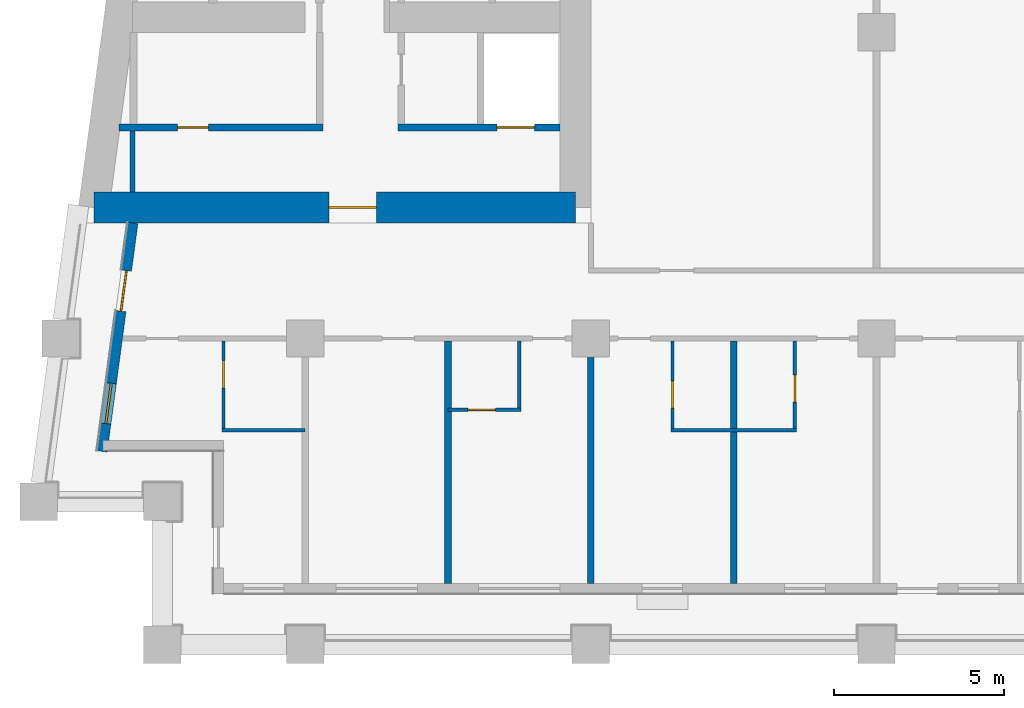
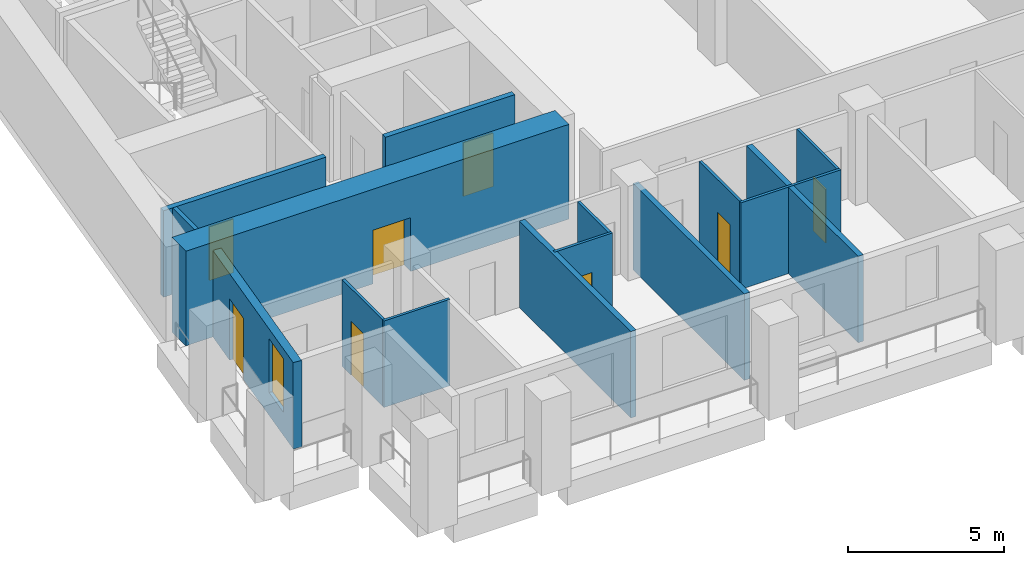
# One storey, part 2 of 13: 15 walls, 8 doors, 1 window, 9 openings.
"""IFC4 building model written with IfcOpenShell, lengths in metres."""

from ifc_helpers import new_model, si_unit, direction, frame, frame_2d, origin, place, context, subcontext, project, spatial, rectangle, extrude, material, layer, layer_set, type_object, element, fill, save


model = new_model("IFC4")

# Units and contexts
model_context = context("Model", 3, precision=1e-05, world=origin(), true_north=direction((0.0, 1.0)))
body_context = subcontext(model_context, "Body", "Model", "MODEL_VIEW")
ifc_project = project(units=[si_unit("LENGTHUNIT", "METRE"), si_unit("AREAUNIT", "SQUARE_METRE"), si_unit("VOLUMEUNIT", "CUBIC_METRE"), si_unit("PLANEANGLEUNIT", "RADIAN"), si_unit("MASSUNIT", "GRAM", prefix="KILO")], contexts=[model_context])

# Site, building, storey
site_placement = place(None, origin())
site = spatial("IfcSite", under=ifc_project, at=site_placement, CompositionType="ELEMENT")
building_placement = place(site_placement, origin())
building = spatial("IfcBuilding", under=site, at=building_placement, Name="Candeia Pilgrim Tower and Theatre", CompositionType="ELEMENT")
storey_placement = place(building_placement, frame((0.0, 0.0, 155.199951171875)))
storey = spatial("IfcBuildingStorey", under=building, at=storey_placement, Name="L36", CompositionType="ELEMENT", Elevation=155.199951171875)

# Wall, opening, door
ifc_material_1 = material(Name="Concrete C60/75", Category="concrete")
ifc_layer_1 = layer(ifc_material_1, 0.89990234375)
ifc_layer_set_1 = layer_set([ifc_layer_1], Name="Core wall 900 C60/75")
wall_type_1 = type_object("IfcWallType", Name="Core wall 900 C60/75", PredefinedType="SHEAR", material=ifc_layer_set_1)
wall_1_placement = place(storey_placement, frame((100.35009765625, 110.85009765625, 0.0), z_axis=(0.0, 0.0, 1.0), x_axis=(-1.0, 0.0, 0.0)))
wall_1 = element("IfcWall", 1, at=wall_1_placement, inside=storey, type_object=wall_type_1, Name="Core wall W3", PredefinedType="SHEAR", context=body_context, shape_type="SweptSolid", body=[
    extrude(rectangle(XDim=14.166259765625, YDim=0.89990234375, at=frame_2d((7.0830078125, 0.0))), origin(), (0.0, 0.0, 1.0), 3.699951171875),
])
opening_1_placement = place(wall_1_placement, frame((5.854736328125, 0.0, 0.0)))
opening_1 = element("IfcOpeningElement", 2, at=opening_1_placement, cuts=wall_1, Name="Opening L36-D055", PredefinedType="OPENING", context=body_context, shape_type="SweptSolid", body=[
    extrude(rectangle(XDim=1.39990234375, YDim=2.10009765625, at=frame_2d((0.699951171875, 1.050048828125))), frame((0.0, 0.4599609375, 0.0), z_axis=(0.0, -1.0, 0.0), x_axis=(1.0, 0.0, 0.0)), (0.0, 0.0, 1.0), 0.919921875),
])
ifc_material_2 = material(Name="Steel fire door set", Category="steel")
door_type_1 = type_object("IfcDoorType", Name="D-1400-FD60", OperationType="NOTDEFINED", PredefinedType="DOOR", material=ifc_material_2)
door_1_placement = place(opening_1_placement, origin())
door_1 = element("IfcDoor", 3, at=door_1_placement, inside=storey, type_object=door_type_1, Name="Door L36-D055", OperationType="SINGLE_SWING_LEFT", OverallHeight=2.10009765625, OverallWidth=1.39990234375, PredefinedType="DOOR", context=body_context, shape_type="SweptSolid", body=[
    extrude(rectangle(XDim=1.39990234375, YDim=2.10009765625, at=frame_2d((0.699951171875, 1.050048828125))), frame((0.0, 0.02490234375, 0.0), z_axis=(0.0, -1.0, 0.0), x_axis=(1.0, 0.0, 0.0)), (0.0, 0.0, 1.0), 0.050048828125),
])
fill(opening_1, door_1)

# Wall, openings, door, window
ifc_material_3 = material(Name="Ceramic block masonry", Category="masonry")
ifc_layer_2 = layer(ifc_material_3, 0.300048828125)
ifc_layer_set_2 = layer_set([ifc_layer_2], Name="EW1 glazing-line wall 300")
wall_type_2 = type_object("IfcWallType", Name="EW1 glazing-line wall 300", PredefinedType="SOLIDWALL", material=ifc_layer_set_2)
wall_2_placement = place(storey_placement, frame((87.334228515625, 110.39990234375, 0.0), z_axis=(0.0, 0.0, 1.0), x_axis=(-0.133437175554, -0.991057273915, 0.0)))
wall_2 = element("IfcWall", 4, at=wall_2_placement, inside=storey, type_object=wall_type_2, Name="External wall L36-9.1", PredefinedType="SOLIDWALL", context=body_context, shape_type="SweptSolid", body=[
    extrude(rectangle(XDim=6.780517578125, YDim=0.300048828125, at=frame_2d((3.39013671875, 0.0))), origin(), (0.0, 0.0, 1.0), 3.380126953125),
])
opening_2_placement = place(wall_2_placement, frame((1.41796875, 0.0, 0.0)))
opening_2 = element("IfcOpeningElement", 5, at=opening_2_placement, cuts=wall_2, Name="Opening L36-ED352", PredefinedType="OPENING", context=body_context, shape_type="SweptSolid", body=[
    extrude(rectangle(XDim=1.199951171875, YDim=2.39990234375, at=frame_2d((0.60009765625, 1.199951171875))), frame((0.0, 0.16015625, 0.0), z_axis=(0.0, -1.0, 0.0), x_axis=(1.0, 0.0, 0.0)), (0.0, 0.0, 1.0), 0.320068359375),
])
opening_3_placement = place(wall_2_placement, frame((4.75830078125, 0.0, 0.89990234375)))
opening_3 = element("IfcOpeningElement", 6, at=opening_3_placement, cuts=wall_2, Name="Opening W-B", PredefinedType="OPENING", context=body_context, shape_type="SweptSolid", body=[
    extrude(rectangle(XDim=1.199951171875, YDim=2.10009765625, at=frame_2d((0.60009765625, 1.050048828125))), frame((0.0, 0.16015625, 0.0), z_axis=(0.0, -1.0, 0.0), x_axis=(1.0, 0.0, 0.0)), (0.0, 0.0, 1.0), 0.320068359375),
])
ifc_material_4 = material(Name="Aluminium framed glazed door", Category="aluminium")
door_type_2 = type_object("IfcDoorType", Name="Loggia door 1200x2400", OperationType="DOUBLE_DOOR_SINGLE_SWING", PredefinedType="DOOR", material=ifc_material_4)
door_2_placement = place(opening_2_placement, origin())
door_2 = element("IfcDoor", 7, at=door_2_placement, inside=storey, type_object=door_type_2, Name="Loggia door L36-ED352", OperationType="DOUBLE_DOOR_SINGLE_SWING", OverallHeight=2.39990234375, OverallWidth=1.199951171875, PredefinedType="DOOR", context=body_context, shape_type="SweptSolid", body=[
    extrude(rectangle(XDim=1.199951171875, YDim=2.39990234375, at=frame_2d((0.60009765625, 1.199951171875))), frame((0.0, 0.02490234375, 0.0), z_axis=(0.0, -1.0, 0.0), x_axis=(1.0, 0.0, 0.0)), (0.0, 0.0, 1.0), 0.050048828125),
])
fill(opening_2, door_2)
ifc_material_5 = material(Name="Aluminium framed double glazing", Category="aluminium")
window_type = type_object("IfcWindowType", Name="W-B window 1200x2100", PartitioningType="SINGLE_PANEL", PredefinedType="WINDOW", material=ifc_material_5)
window_placement = place(opening_3_placement, origin())
window = element("IfcWindow", 8, at=window_placement, inside=storey, type_object=window_type, Name="Window W-B L36", OverallHeight=2.10009765625, OverallWidth=1.199951171875, PartitioningType="SINGLE_PANEL", PredefinedType="WINDOW", context=body_context, shape_type="SweptSolid", body=[
    extrude(rectangle(XDim=1.199951171875, YDim=2.10009765625, at=frame_2d((0.60009765625, 1.050048828125))), frame((0.0, 0.030029296875, 0.0), z_axis=(0.0, -1.0, 0.0), x_axis=(1.0, 0.0, 0.0)), (0.0, 0.0, 1.0), 0.06005859375),
])
fill(opening_3, window)

# Walls
ifc_material_6 = material(Name="Gypsum board partition on steel studs", Category="steel")
ifc_layer_3 = layer(ifc_material_6, 0.10009765625)
ifc_layer_set_3 = layer_set([ifc_layer_3], Name="PW-100 room partition")
wall_type_3 = type_object("IfcWallType", Name="PW-100 room partition", PredefinedType="PARTITIONING", material=ifc_layer_set_3)
wall_3_placement = place(storey_placement, frame((89.949951171875, 104.300048828125, 0.0), z_axis=(0.0, 0.0, 1.0), x_axis=(1.0, 0.0, 0.0)))
element("IfcWall", 9, at=wall_3_placement, inside=storey, type_object=wall_type_3, Name="Room partition L36-001", PredefinedType="PARTITIONING", context=body_context, shape_type="SweptSolid", body=[
    extrude(rectangle(XDim=2.449951171875, YDim=0.10009765625, at=frame_2d((1.22509765625, 0.0))), origin(), (0.0, 0.0, 1.0), 3.380126953125),
])
wall_4_placement = place(storey_placement, frame((103.14990234375, 104.300048828125, 0.0), z_axis=(0.0, 0.0, 1.0), x_axis=(1.0, 0.0, 0.0)))
element("IfcWall", 10, at=wall_4_placement, inside=storey, type_object=wall_type_3, Name="Room partition L36-002", PredefinedType="PARTITIONING", context=body_context, shape_type="SweptSolid", body=[
    extrude(rectangle(XDim=3.7001953125, YDim=0.10009765625, at=frame_2d((1.85009765625, 0.0))), origin(), (0.0, 0.0, 1.0), 3.380126953125),
])

# Wall, opening, door
wall_5_placement = place(storey_placement, frame((96.60009765625, 104.89990234375, 0.0), z_axis=(0.0, 0.0, 1.0), x_axis=(1.0, 0.0, 0.0)))
wall_5 = element("IfcWall", 11, at=wall_5_placement, inside=storey, type_object=wall_type_3, Name="Room partition L36-007", PredefinedType="PARTITIONING", context=body_context, shape_type="SweptSolid", body=[
    extrude(rectangle(XDim=2.14990234375, YDim=0.10009765625, at=frame_2d((1.074951171875, 0.0))), origin(), (0.0, 0.0, 1.0), 3.380126953125),
])
opening_4_placement = place(wall_5_placement, frame((0.590087890625, 0.0, 0.0)))
opening_4 = element("IfcOpeningElement", 12, at=opening_4_placement, cuts=wall_5, Name="Opening L36-D020", PredefinedType="OPENING", context=body_context, shape_type="SweptSolid", body=[
    extrude(rectangle(XDim=0.800048828125, YDim=2.10009765625, at=frame_2d((0.39990234375, 1.050048828125))), frame((0.0, 0.06005859375, 0.0), z_axis=(0.0, -1.0, 0.0), x_axis=(1.0, 0.0, 0.0)), (0.0, 0.0, 1.0), 0.1201171875),
])
ifc_material_7 = material(Name="Timber door leaf", Category="wood")
door_type_3 = type_object("IfcDoorType", Name="D-800", OperationType="NOTDEFINED", PredefinedType="DOOR", material=ifc_material_7)
door_3_placement = place(opening_4_placement, origin())
door_3 = element("IfcDoor", 13, at=door_3_placement, inside=storey, type_object=door_type_3, Name="Door L36-D020", OperationType="SINGLE_SWING_RIGHT", OverallHeight=2.10009765625, OverallWidth=0.800048828125, PredefinedType="DOOR", context=body_context, shape_type="SweptSolid", body=[
    extrude(rectangle(XDim=0.800048828125, YDim=2.10009765625, at=frame_2d((0.39990234375, 1.050048828125))), frame((0.0, 0.02490234375, 0.0), z_axis=(0.0, -1.0, 0.0), x_axis=(1.0, 0.0, 0.0)), (0.0, 0.0, 1.0), 0.050048828125),
])
fill(opening_4, door_3)

wall_6_placement = place(storey_placement, frame((90.0, 104.35009765625, 0.0), z_axis=(0.0, 0.0, 1.0), x_axis=(0.0, 1.0, 0.0)))
wall_6 = element("IfcWall", 14, at=wall_6_placement, inside=storey, type_object=wall_type_3, Name="Room partition L36-051", PredefinedType="PARTITIONING", context=body_context, shape_type="SweptSolid", body=[
    extrude(rectangle(XDim=2.574951171875, YDim=0.10009765625, at=frame_2d((1.28759765625, 0.0))), origin(), (0.0, 0.0, 1.0), 3.380126953125),
])
opening_5_placement = place(wall_6_placement, frame((1.199951171875, 0.0, 0.0)))
opening_5 = element("IfcOpeningElement", 15, at=opening_5_placement, cuts=wall_6, Name="Opening L36-D017", PredefinedType="OPENING", context=body_context, shape_type="SweptSolid", body=[
    extrude(rectangle(XDim=0.800048828125, YDim=2.10009765625, at=frame_2d((0.39990234375, 1.050048828125))), frame((0.0, 0.06005859375, 0.0), z_axis=(0.0, -1.0, 0.0), x_axis=(1.0, 0.0, 0.0)), (0.0, 0.0, 1.0), 0.1201171875),
])
door_4_placement = place(opening_5_placement, origin())
door_4 = element("IfcDoor", 16, at=door_4_placement, inside=storey, type_object=door_type_3, Name="Door L36-D017", OperationType="SINGLE_SWING_LEFT", OverallHeight=2.10009765625, OverallWidth=0.800048828125, PredefinedType="DOOR", context=body_context, shape_type="SweptSolid", body=[
    extrude(rectangle(XDim=0.800048828125, YDim=2.10009765625, at=frame_2d((0.39990234375, 1.050048828125))), frame((0.0, 0.02490234375, 0.0), z_axis=(0.0, -1.0, 0.0), x_axis=(1.0, 0.0, 0.0)), (0.0, 0.0, 1.0), 0.050048828125),
])
fill(opening_5, door_4)

# Wall
wall_7_placement = place(storey_placement, frame((98.699951171875, 104.949951171875, 0.0), z_axis=(0.0, 0.0, 1.0), x_axis=(0.0, 1.0, 0.0)))
element("IfcWall", 17, at=wall_7_placement, inside=storey, type_object=wall_type_3, Name="Room partition L36-069", PredefinedType="PARTITIONING", context=body_context, shape_type="SweptSolid", body=[
    extrude(rectangle(XDim=1.97509765625, YDim=0.10009765625, at=frame_2d((0.987548828125, 0.0))), origin(), (0.0, 0.0, 1.0), 3.380126953125),
])

# Wall, opening, door
wall_8_placement = place(storey_placement, frame((103.199951171875, 104.35009765625, 0.0), z_axis=(0.0, 0.0, 1.0), x_axis=(0.0, 1.0, 0.0)))
wall_8 = element("IfcWall", 18, at=wall_8_placement, inside=storey, type_object=wall_type_3, Name="Room partition L36-074", PredefinedType="PARTITIONING", context=body_context, shape_type="SweptSolid", body=[
    extrude(rectangle(XDim=2.574951171875, YDim=0.10009765625, at=frame_2d((1.28759765625, 0.0))), origin(), (0.0, 0.0, 1.0), 3.380126953125),
])
opening_6_placement = place(wall_8_placement, frame((0.60009765625, 0.0, 0.0)))
opening_6 = element("IfcOpeningElement", 19, at=opening_6_placement, cuts=wall_8, Name="Opening L36-D022", PredefinedType="OPENING", context=body_context, shape_type="SweptSolid", body=[
    extrude(rectangle(XDim=0.800048828125, YDim=2.10009765625, at=frame_2d((0.39990234375, 1.050048828125))), frame((0.0, 0.06005859375, 0.0), z_axis=(0.0, -1.0, 0.0), x_axis=(1.0, 0.0, 0.0)), (0.0, 0.0, 1.0), 0.1201171875),
])
door_5_placement = place(opening_6_placement, origin())
door_5 = element("IfcDoor", 20, at=door_5_placement, inside=storey, type_object=door_type_3, Name="Door L36-D022", OperationType="SINGLE_SWING_RIGHT", OverallHeight=2.10009765625, OverallWidth=0.800048828125, PredefinedType="DOOR", context=body_context, shape_type="SweptSolid", body=[
    extrude(rectangle(XDim=0.800048828125, YDim=2.10009765625, at=frame_2d((0.39990234375, 1.050048828125))), frame((0.0, 0.02490234375, 0.0), z_axis=(0.0, -1.0, 0.0), x_axis=(1.0, 0.0, 0.0)), (0.0, 0.0, 1.0), 0.050048828125),
])
fill(opening_6, door_5)

wall_9_placement = place(storey_placement, frame((106.800048828125, 104.35009765625, 0.0), z_axis=(0.0, 0.0, 1.0), x_axis=(0.0, 1.0, 0.0)))
wall_9 = element("IfcWall", 21, at=wall_9_placement, inside=storey, type_object=wall_type_3, Name="Room partition L36-076", PredefinedType="PARTITIONING", context=body_context, shape_type="SweptSolid", body=[
    extrude(rectangle(XDim=2.574951171875, YDim=0.10009765625, at=frame_2d((1.28759765625, 0.0))), origin(), (0.0, 0.0, 1.0), 3.380126953125),
])
opening_7_placement = place(wall_9_placement, frame((0.780029296875, 0.0, 0.0)))
opening_7 = element("IfcOpeningElement", 22, at=opening_7_placement, cuts=wall_9, Name="Opening L36-D024", PredefinedType="OPENING", context=body_context, shape_type="SweptSolid", body=[
    extrude(rectangle(XDim=0.800048828125, YDim=2.10009765625, at=frame_2d((0.39990234375, 1.050048828125))), frame((0.0, 0.06005859375, 0.0), z_axis=(0.0, -1.0, 0.0), x_axis=(1.0, 0.0, 0.0)), (0.0, 0.0, 1.0), 0.1201171875),
])
door_6_placement = place(opening_7_placement, origin())
door_6 = element("IfcDoor", 23, at=door_6_placement, inside=storey, type_object=door_type_3, Name="Door L36-D024", OperationType="SINGLE_SWING_RIGHT", OverallHeight=2.10009765625, OverallWidth=0.800048828125, PredefinedType="DOOR", context=body_context, shape_type="SweptSolid", body=[
    extrude(rectangle(XDim=0.800048828125, YDim=2.10009765625, at=frame_2d((0.39990234375, 1.050048828125))), frame((0.0, 0.02490234375, 0.0), z_axis=(0.0, -1.0, 0.0), x_axis=(1.0, 0.0, 0.0)), (0.0, 0.0, 1.0), 0.050048828125),
])
fill(opening_7, door_6)

# Walls
ifc_layer_4 = layer(ifc_material_6, 0.14990234375)
ifc_layer_set_4 = layer_set([ifc_layer_4], Name="PW-150 lobby wall")
wall_type_4 = type_object("IfcWallType", Name="PW-150 lobby wall", PredefinedType="PARTITIONING", material=ifc_layer_set_4)
wall_10_placement = place(storey_placement, frame((87.327880859375, 111.300048828125, 0.0), z_axis=(0.0, 0.0, 1.0), x_axis=(0.0, 1.0, 0.0)))
element("IfcWall", 24, at=wall_10_placement, inside=storey, type_object=wall_type_4, Name="Lobby wall L36-048", PredefinedType="PARTITIONING", context=body_context, shape_type="SweptSolid", body=[
    extrude(rectangle(XDim=1.800048828125, YDim=0.14990234375, at=frame_2d((0.89990234375, 0.0))), origin(), (0.0, 0.0, 1.0), 3.380126953125),
])
ifc_layer_5 = layer(ifc_material_6, 0.199951171875)
ifc_layer_set_5 = layer_set([ifc_layer_5], Name="PW-200 party wall")
wall_type_5 = type_object("IfcWallType", Name="PW-200 party wall", PredefinedType="PARTITIONING", material=ifc_layer_set_5)
for number, where, z_axis, x_axis, name in (
    (25, (96.60009765625, 99.7900390625, 0.0), (0.0, 0.0, 1.0), (0.0, 1.0, 0.0), "Party wall L36-063"),
    (26, (100.800048828125, 99.7900390625, 0.0), (0.0, 0.0, 1.0), (0.0, 1.0, 0.0), "Party wall L36-070"),
    (27, (105.0, 99.7900390625, 0.0), (0.0, 0.0, 1.0), (0.0, 1.0, 0.0), "Party wall L36-075"),
):
    element("IfcWall", number, at=place(storey_placement, frame(where, z_axis=z_axis, x_axis=x_axis)), inside=storey, type_object=wall_type_5, Name=name, PredefinedType="PARTITIONING", context=body_context, shape_type="SweptSolid", body=[
        extrude(rectangle(XDim=7.135009765625, YDim=0.199951171875, at=frame_2d((3.5673828125, 0.0))), origin(), (0.0, 0.0, 1.0), 3.380126953125),
    ])

# Wall, opening, door
ifc_material_8 = material(Name="Concrete C40/50", Category="concrete")
ifc_layer_6 = layer(ifc_material_8, 0.199951171875)
ifc_layer_set_6 = layer_set([ifc_layer_6], Name="SW-200 shaft wall")
wall_type_6 = type_object("IfcWallType", Name="SW-200 shaft wall", PredefinedType="PARTITIONING", material=ifc_layer_set_6)
wall_11_placement = place(storey_placement, frame((86.92431640625, 113.199951171875, 0.0), z_axis=(0.0, 0.0, 1.0), x_axis=(1.0, 0.0, 0.0)))
wall_11 = element("IfcWall", 28, at=wall_11_placement, inside=storey, type_object=wall_type_6, Name="Shaft wall L36-010", PredefinedType="PARTITIONING", context=body_context, shape_type="SweptSolid", body=[
    extrude(rectangle(XDim=6.002685546875, YDim=0.199951171875, at=frame_2d((3.00146484375, 0.0))), origin(), (0.0, 0.0, 1.0), 3.380126953125),
])
opening_8_placement = place(wall_11_placement, frame((1.728759765625, 0.0, 0.0)))
opening_8 = element("IfcOpeningElement", 29, at=opening_8_placement, cuts=wall_11, Name="Opening L36-D007", PredefinedType="OPENING", context=body_context, shape_type="SweptSolid", body=[
    extrude(rectangle(XDim=0.89990234375, YDim=2.10009765625, at=frame_2d((0.449951171875, 1.050048828125))), frame((0.0, 0.10986328125, 0.0), z_axis=(0.0, -1.0, 0.0), x_axis=(1.0, 0.0, 0.0)), (0.0, 0.0, 1.0), 0.219970703125),
])
door_type_4 = type_object("IfcDoorType", Name="D-900-FD60", OperationType="NOTDEFINED", PredefinedType="DOOR", material=ifc_material_2)
door_7_placement = place(opening_8_placement, origin())
door_7 = element("IfcDoor", 30, at=door_7_placement, inside=storey, type_object=door_type_4, Name="Door L36-D007", OperationType="SINGLE_SWING_RIGHT", OverallHeight=2.10009765625, OverallWidth=0.89990234375, PredefinedType="DOOR", context=body_context, shape_type="SweptSolid", body=[
    extrude(rectangle(XDim=0.89990234375, YDim=2.10009765625, at=frame_2d((0.449951171875, 1.050048828125))), frame((0.0, 0.02490234375, 0.0), z_axis=(0.0, -1.0, 0.0), x_axis=(1.0, 0.0, 0.0)), (0.0, 0.0, 1.0), 0.050048828125),
])
fill(opening_8, door_7)

wall_12_placement = place(storey_placement, frame((95.126953125, 113.199951171875, 0.0), z_axis=(0.0, 0.0, 1.0), x_axis=(1.0, 0.0, 0.0)))
wall_12 = element("IfcWall", 31, at=wall_12_placement, inside=storey, type_object=wall_type_6, Name="Shaft wall L36-011", PredefinedType="PARTITIONING", context=body_context, shape_type="SweptSolid", body=[
    extrude(rectangle(XDim=4.77294921875, YDim=0.199951171875, at=frame_2d((2.386474609375, 0.0))), origin(), (0.0, 0.0, 1.0), 3.380126953125),
])
opening_9_placement = place(wall_12_placement, frame((2.9208984375, 0.0, 0.0)))
opening_9 = element("IfcOpeningElement", 32, at=opening_9_placement, cuts=wall_12, Name="Opening L36-LD03", PredefinedType="OPENING", context=body_context, shape_type="SweptSolid", body=[
    extrude(rectangle(XDim=1.10009765625, YDim=2.10009765625, at=frame_2d((0.550048828125, 1.050048828125))), frame((0.0, 0.10986328125, 0.0), z_axis=(0.0, -1.0, 0.0), x_axis=(1.0, 0.0, 0.0)), (0.0, 0.0, 1.0), 0.219970703125),
])
ifc_material_9 = material(Name="Glazed aluminium landing door", Category="aluminium")
door_type_5 = type_object("IfcDoorType", Name="LD-1100-EI120", OperationType="SLIDING_TO_LEFT", PredefinedType="DOOR", material=ifc_material_9)
door_8_placement = place(opening_9_placement, origin())
door_8 = element("IfcDoor", 33, at=door_8_placement, inside=storey, type_object=door_type_5, Name="Landing door 03 L36", OperationType="SLIDING_TO_LEFT", OverallHeight=2.10009765625, OverallWidth=1.10009765625, PredefinedType="DOOR", context=body_context, shape_type="SweptSolid", body=[
    extrude(rectangle(XDim=1.10009765625, YDim=2.10009765625, at=frame_2d((0.550048828125, 1.050048828125))), frame((0.0, 0.02490234375, 0.0), z_axis=(0.0, -1.0, 0.0), x_axis=(1.0, 0.0, 0.0)), (0.0, 0.0, 1.0), 0.050048828125),
])
fill(opening_9, door_8)

save(model, "model.ifc")
